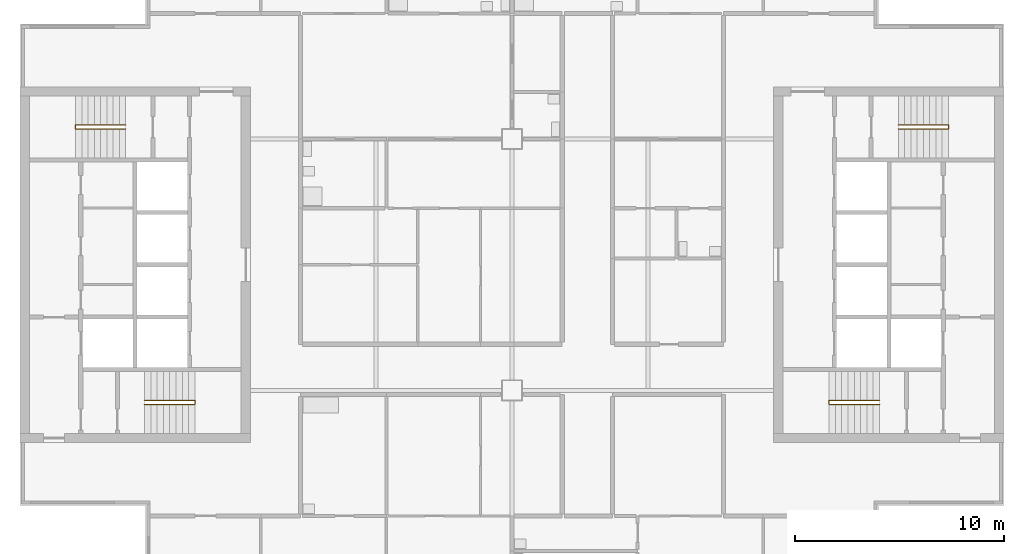
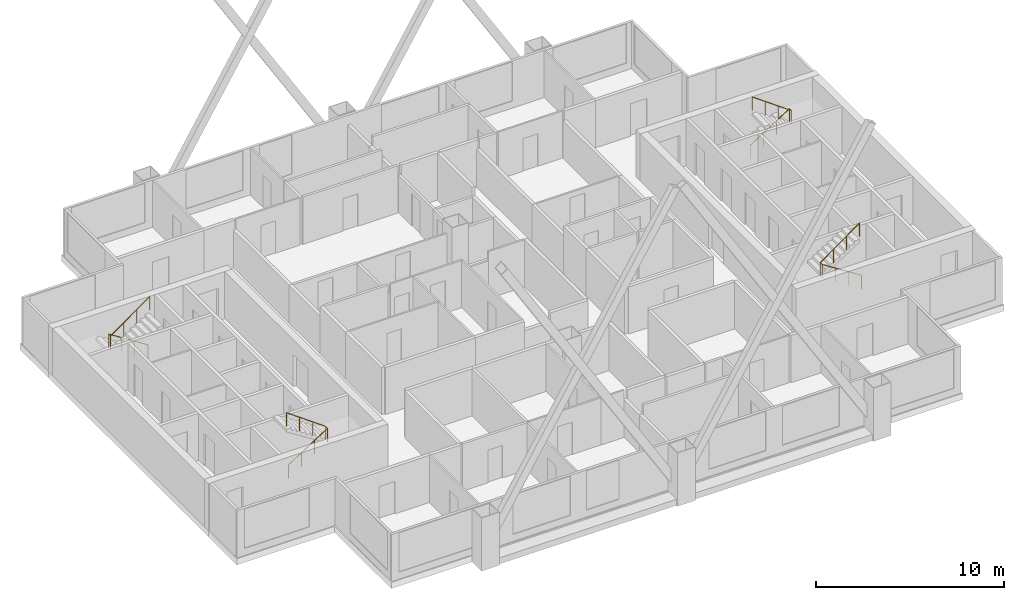
# One storey, part 8 of 9: 4 railings.
"""IFC4 building model written with IfcOpenShell, lengths in metres."""

from ifc_helpers import new_model, si_unit, direction, frame, origin, origin_2d, place, context, subcontext, project, spatial, circle, extrude, material, type_object, element, save


model = new_model("IFC4")

# Units and contexts
model_context = context("Model", 3, precision=1e-05, world=origin(), true_north=direction((0.0, 1.0)))
body_context = subcontext(model_context, "Body", "Model", "MODEL_VIEW")
ifc_project = project(units=[si_unit("LENGTHUNIT", "METRE"), si_unit("AREAUNIT", "SQUARE_METRE"), si_unit("VOLUMEUNIT", "CUBIC_METRE"), si_unit("PLANEANGLEUNIT", "RADIAN"), si_unit("MASSUNIT", "GRAM", prefix="KILO")], contexts=[model_context])

# Site, building, storey
site_placement = place(None, origin())
site = spatial("IfcSite", under=ifc_project, at=site_placement, CompositionType="ELEMENT")
building_placement = place(site_placement, origin())
building = spatial("IfcBuilding", under=site, at=building_placement, Name="Kitamizu Gate Tower and Museum", CompositionType="ELEMENT")
storey_placement = place(building_placement, frame((0.0, 0.0, 217.949951171875)))
storey = spatial("IfcBuildingStorey", under=building, at=storey_placement, Name="L58", CompositionType="ELEMENT", Elevation=217.949951171875)

# Railings
ifc_material = material(Name="Stainless steel SUS304", Category="steel")
railing_type = type_object("IfcRailingType", Name="Stair handrail 900", PredefinedType="HANDRAIL", material=ifc_material)
railing_1_placement = place(storey_placement, frame((18.449951171875, 23.324951171875, 0.191650390625)))
element("IfcRailing", 1, at=railing_1_placement, inside=storey, type_object=railing_type, Name="Stair handrail ST1", PredefinedType="HANDRAIL", context=body_context, shape_type="SweptSolid", body=[
    extrude(circle(Radius=0.02392578125, at=origin_2d()), frame((0.0, 0.0, 0.8759765625), z_axis=(0.842693018954, 0.0, 0.538394349715), x_axis=(0.0, 1.0, 0.0)), (0.0, 0.0, 1.0), 2.84814453125),
    extrude(circle(Radius=0.02392578125, at=origin_2d()), frame((2.400146484375, 0.0, 2.4091796875), z_axis=(0.0, 1.0, 0.0), x_axis=(-1.0, 0.0, 0.0)), (0.0, 0.0, 1.0), 0.199951171875),
    extrude(circle(Radius=0.02392578125, at=origin_2d()), frame((2.400146484375, 0.199951171875, 2.4091796875), z_axis=(-0.812055739374, 0.0, 0.583579879837), x_axis=(0.0, -1.0, 0.0)), (0.0, 0.0, 1.0), 2.95556640625),
    extrude(circle(Radius=0.02099609375, at=origin_2d()), origin(), (0.0, 0.0, 1.0), 0.851806640625),
    extrude(circle(Radius=0.02099609375, at=origin_2d()), frame((0.800048828125, 0.0, 0.51123046875)), (0.0, 0.0, 1.0), 0.851806640625),
    extrude(circle(Radius=0.02099609375, at=origin_2d()), frame((1.60009765625, 0.0, 1.022216796875)), (0.0, 0.0, 1.0), 0.851806640625),
    extrude(circle(Radius=0.02099609375, at=origin_2d()), frame((2.400146484375, 0.0, 1.533447265625)), (0.0, 0.0, 1.0), 0.851806640625),
    extrude(circle(Radius=0.02099609375, at=origin_2d()), frame((2.400146484375, 0.199951171875, 1.533447265625)), (0.0, 0.0, 1.0), 0.851806640625),
    extrude(circle(Radius=0.02099609375, at=origin_2d()), frame((1.60009765625, 0.199951171875, 2.1083984375)), (0.0, 0.0, 1.0), 0.851806640625),
    extrude(circle(Radius=0.02099609375, at=origin_2d()), frame((0.800048828125, 0.199951171875, 2.683349609375)), (0.0, 0.0, 1.0), 0.851806640625),
    extrude(circle(Radius=0.02099609375, at=origin_2d()), frame((0.0, 0.199951171875, 3.25830078125)), (0.0, 0.0, 1.0), 0.851806640625),
])
railing_2_placement = place(storey_placement, frame((17.550048828125, 36.675048828125, 0.191650390625)))
element("IfcRailing", 2, at=railing_2_placement, inside=storey, type_object=railing_type, Name="Stair handrail ST2", PredefinedType="HANDRAIL", context=body_context, shape_type="SweptSolid", body=[
    extrude(circle(Radius=0.02392578125, at=origin_2d()), frame((0.0, 0.0, 0.8759765625), z_axis=(-0.842693018954, 0.0, 0.538394349715), x_axis=(0.0, -1.0, 0.0)), (0.0, 0.0, 1.0), 2.84814453125),
    extrude(circle(Radius=0.02392578125, at=origin_2d()), frame((-2.400146484375, 0.0, 2.4091796875), z_axis=(0.0, -1.0, 0.0), x_axis=(1.0, 0.0, 0.0)), (0.0, 0.0, 1.0), 0.199951171875),
    extrude(circle(Radius=0.02392578125, at=origin_2d()), frame((-2.400146484375, -0.199951171875, 2.4091796875), z_axis=(0.812055739374, 0.0, 0.583579879837), x_axis=(0.0, 1.0, 0.0)), (0.0, 0.0, 1.0), 2.95556640625),
    extrude(circle(Radius=0.02099609375, at=origin_2d()), origin(), (0.0, 0.0, 1.0), 0.851806640625),
    extrude(circle(Radius=0.02099609375, at=origin_2d()), frame((-0.800048828125, 0.0, 0.51123046875)), (0.0, 0.0, 1.0), 0.851806640625),
    extrude(circle(Radius=0.02099609375, at=origin_2d()), frame((-1.60009765625, 0.0, 1.022216796875)), (0.0, 0.0, 1.0), 0.851806640625),
    extrude(circle(Radius=0.02099609375, at=origin_2d()), frame((-2.400146484375, 0.0, 1.533447265625)), (0.0, 0.0, 1.0), 0.851806640625),
    extrude(circle(Radius=0.02099609375, at=origin_2d()), frame((-2.400146484375, -0.199951171875, 1.533447265625)), (0.0, 0.0, 1.0), 0.851806640625),
    extrude(circle(Radius=0.02099609375, at=origin_2d()), frame((-1.60009765625, -0.199951171875, 2.1083984375)), (0.0, 0.0, 1.0), 0.851806640625),
    extrude(circle(Radius=0.02099609375, at=origin_2d()), frame((-0.800048828125, -0.199951171875, 2.683349609375)), (0.0, 0.0, 1.0), 0.851806640625),
    extrude(circle(Radius=0.02099609375, at=origin_2d()), frame((0.0, -0.199951171875, 3.25830078125)), (0.0, 0.0, 1.0), 0.851806640625),
])
railing_3_placement = place(storey_placement, frame((53.550048828125, 23.324951171875, 0.191650390625)))
element("IfcRailing", 3, at=railing_3_placement, inside=storey, type_object=railing_type, Name="Stair handrail ST3", PredefinedType="HANDRAIL", context=body_context, shape_type="SweptSolid", body=[
    extrude(circle(Radius=0.02392578125, at=origin_2d()), frame((0.0, 0.0, 0.8759765625), z_axis=(-0.842693018954, 0.0, 0.538394349715), x_axis=(0.0, -1.0, 0.0)), (0.0, 0.0, 1.0), 2.84814453125),
    extrude(circle(Radius=0.02392578125, at=origin_2d()), frame((-2.400146484375, 0.0, 2.4091796875), z_axis=(0.0, 1.0, 0.0), x_axis=(-1.0, 0.0, 0.0)), (0.0, 0.0, 1.0), 0.199951171875),
    extrude(circle(Radius=0.02392578125, at=origin_2d()), frame((-2.400146484375, 0.199951171875, 2.4091796875), z_axis=(0.812055739374, 0.0, 0.583579879837), x_axis=(0.0, 1.0, 0.0)), (0.0, 0.0, 1.0), 2.95556640625),
    extrude(circle(Radius=0.02099609375, at=origin_2d()), origin(), (0.0, 0.0, 1.0), 0.851806640625),
    extrude(circle(Radius=0.02099609375, at=origin_2d()), frame((-0.800048828125, 0.0, 0.51123046875)), (0.0, 0.0, 1.0), 0.851806640625),
    extrude(circle(Radius=0.02099609375, at=origin_2d()), frame((-1.60009765625, 0.0, 1.022216796875)), (0.0, 0.0, 1.0), 0.851806640625),
    extrude(circle(Radius=0.02099609375, at=origin_2d()), frame((-2.400146484375, 0.0, 1.533447265625)), (0.0, 0.0, 1.0), 0.851806640625),
    extrude(circle(Radius=0.02099609375, at=origin_2d()), frame((-2.400146484375, 0.199951171875, 1.533447265625)), (0.0, 0.0, 1.0), 0.851806640625),
    extrude(circle(Radius=0.02099609375, at=origin_2d()), frame((-1.60009765625, 0.199951171875, 2.1083984375)), (0.0, 0.0, 1.0), 0.851806640625),
    extrude(circle(Radius=0.02099609375, at=origin_2d()), frame((-0.800048828125, 0.199951171875, 2.683349609375)), (0.0, 0.0, 1.0), 0.851806640625),
    extrude(circle(Radius=0.02099609375, at=origin_2d()), frame((0.0, 0.199951171875, 3.25830078125)), (0.0, 0.0, 1.0), 0.851806640625),
])
railing_4_placement = place(storey_placement, frame((54.449951171875, 36.675048828125, 0.191650390625)))
element("IfcRailing", 4, at=railing_4_placement, inside=storey, type_object=railing_type, Name="Stair handrail ST4", PredefinedType="HANDRAIL", context=body_context, shape_type="SweptSolid", body=[
    extrude(circle(Radius=0.02392578125, at=origin_2d()), frame((0.0, 0.0, 0.8759765625), z_axis=(0.842693018954, 0.0, 0.538394349715), x_axis=(0.0, 1.0, 0.0)), (0.0, 0.0, 1.0), 2.84814453125),
    extrude(circle(Radius=0.02392578125, at=origin_2d()), frame((2.400146484375, 0.0, 2.4091796875), z_axis=(0.0, -1.0, 0.0), x_axis=(1.0, 0.0, 0.0)), (0.0, 0.0, 1.0), 0.199951171875),
    extrude(circle(Radius=0.02392578125, at=origin_2d()), frame((2.400146484375, -0.199951171875, 2.4091796875), z_axis=(-0.812055739374, 0.0, 0.583579879837), x_axis=(0.0, -1.0, 0.0)), (0.0, 0.0, 1.0), 2.95556640625),
    extrude(circle(Radius=0.02099609375, at=origin_2d()), origin(), (0.0, 0.0, 1.0), 0.851806640625),
    extrude(circle(Radius=0.02099609375, at=origin_2d()), frame((0.800048828125, 0.0, 0.51123046875)), (0.0, 0.0, 1.0), 0.851806640625),
    extrude(circle(Radius=0.02099609375, at=origin_2d()), frame((1.60009765625, 0.0, 1.022216796875)), (0.0, 0.0, 1.0), 0.851806640625),
    extrude(circle(Radius=0.02099609375, at=origin_2d()), frame((2.400146484375, 0.0, 1.533447265625)), (0.0, 0.0, 1.0), 0.851806640625),
    extrude(circle(Radius=0.02099609375, at=origin_2d()), frame((2.400146484375, -0.199951171875, 1.533447265625)), (0.0, 0.0, 1.0), 0.851806640625),
    extrude(circle(Radius=0.02099609375, at=origin_2d()), frame((1.60009765625, -0.199951171875, 2.1083984375)), (0.0, 0.0, 1.0), 0.851806640625),
    extrude(circle(Radius=0.02099609375, at=origin_2d()), frame((0.800048828125, -0.199951171875, 2.683349609375)), (0.0, 0.0, 1.0), 0.851806640625),
    extrude(circle(Radius=0.02099609375, at=origin_2d()), frame((0.0, -0.199951171875, 3.25830078125)), (0.0, 0.0, 1.0), 0.851806640625),
])

save(model, "model.ifc")
